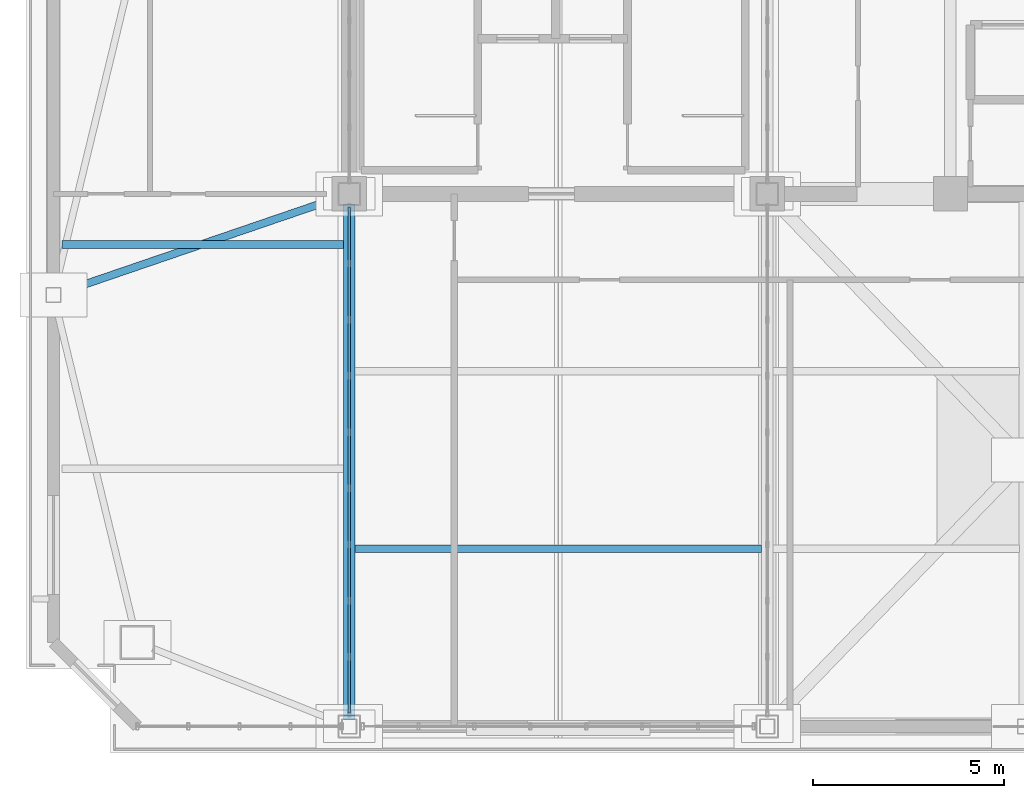
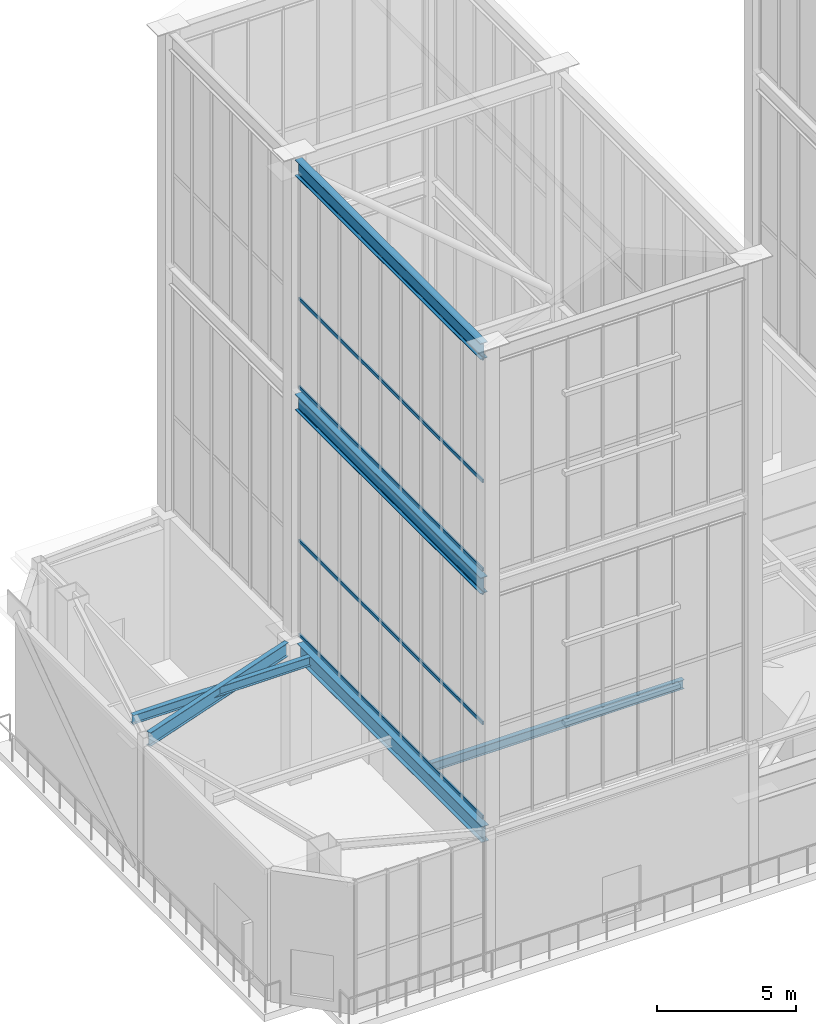
# One storey, part 6 of 135: 6 beams, 6 members, 2 elements without a shape of their own.
"""IFC4 building model written with IfcOpenShell, lengths in metres."""

from ifc_helpers import new_model, si_unit, direction, frame, origin, origin_2d, place, context, subcontext, project, spatial, hollow_rectangle, i_section, extrude, source, transform, mapped, material, layer, layer_set, material_profile, profile_set, type_object, element, aggregate, save


model = new_model("IFC4")

# Units and contexts
model_context = context("Model", 3, precision=1e-05, world=origin(), true_north=direction((0.0, 1.0)))
body_context = subcontext(model_context, "Body", "Model", "MODEL_VIEW")
ifc_project = project(units=[si_unit("LENGTHUNIT", "METRE"), si_unit("AREAUNIT", "SQUARE_METRE"), si_unit("VOLUMEUNIT", "CUBIC_METRE"), si_unit("PLANEANGLEUNIT", "RADIAN"), si_unit("MASSUNIT", "GRAM", prefix="KILO")], contexts=[model_context])

# Site, building, storey
site_placement = place(None, origin())
site = spatial("IfcSite", under=ifc_project, at=site_placement, CompositionType="ELEMENT")
building_placement = place(site_placement, origin())
building = spatial("IfcBuilding", under=site, at=building_placement, Name="Giltprow Tower", CompositionType="ELEMENT")
storey_placement = place(building_placement, frame((0.0, 0.0, 352.699951171875)))
storey = spatial("IfcBuildingStorey", under=building, at=storey_placement, Name="L92", CompositionType="ELEMENT", Elevation=352.699951171875)

# Beams
ifc_material_1 = material(Name="Structural steel Q355B", Category="steel")
ifc_material_profile_1 = material_profile(ifc_material_1, i_section(OverallWidth=0.199951171875, OverallDepth=0.39990234375, WebThickness=0.008056640625, FlangeThickness=0.012939453125, at=origin_2d()), Name="HN 400x200x8x13")
ifc_profile_set_1 = profile_set([ifc_material_profile_1], Name="Structural steel Q355B")
beam_type_1 = type_object("IfcBeamType", Name="BM-JOIST-HN400", PredefinedType="JOIST", material=ifc_profile_set_1)
shared_shape_1 = source(origin(), body_context, "Body", "SweptSolid", [
    extrude(i_section(OverallWidth=0.199951171875, OverallDepth=0.39990234375, WebThickness=0.008056640625, FlangeThickness=0.012939453125, at=origin_2d()), origin(), (0.0, 0.0, 1.0), 10.659912109375),
])
beam_1_placement = place(storey_placement, frame((19.9951171875, 28.14990234375, 5.9599609375), z_axis=(1.0, 0.0, 0.0), x_axis=(0.0, 1.0, 0.0)))
element("IfcBeam", 1, at=beam_1_placement, inside=storey, type_object=beam_type_1, Name="L92 Composite Floor Joist 1-1", PredefinedType="JOIST", context=body_context, shape_type="MappedRepresentation", body=[
    mapped(shared_shape_1, transform((0.0, 0.0, 0.0), x_axis=(1.0, 0.0, 0.0), y_axis=(0.0, 1.0, 0.0), z_axis=(0.0, 0.0, 1.0), scale=1.0)),
])
ifc_material_profile_2 = material_profile(ifc_material_1, i_section(OverallWidth=0.300048828125, OverallDepth=0.699951171875, WebThickness=0.012939453125, FlangeThickness=0.02392578125, at=origin_2d()), Name="HN 700x300x13x24")
ifc_profile_set_2 = profile_set([ifc_material_profile_2], Name="Structural steel Q355B")
beam_type_2 = type_object("IfcBeamType", Name="BM-GIRD-HN700", PredefinedType="BEAM", material=ifc_profile_set_2)
shared_shape_2 = source(origin(), body_context, "Body", "SweptSolid", [
    extrude(i_section(OverallWidth=0.300048828125, OverallDepth=0.699951171875, WebThickness=0.012939453125, FlangeThickness=0.02392578125, at=origin_2d()), origin(), (0.0, 0.0, 1.0), 13.329833984375),
])
beam_2_placement = place(storey_placement, frame((19.85009765625, 23.68505859375, 5.81005859375), z_axis=(0.0, 1.0, 0.0), x_axis=(-1.0, 0.0, 0.0)))
element("IfcBeam", 2, at=beam_2_placement, inside=storey, type_object=beam_type_2, Name="L92 Primary Lease Girder S1", PredefinedType="BEAM", context=body_context, shape_type="MappedRepresentation", body=[
    mapped(shared_shape_2, transform((0.0, 0.0, 0.0), x_axis=(1.0, 0.0, 0.0), y_axis=(0.0, 1.0, 0.0), z_axis=(0.0, 0.0, 1.0), scale=1.0)),
])
ifc_material_profile_3 = material_profile(ifc_material_1, i_section(OverallWidth=0.199951171875, OverallDepth=0.60009765625, WebThickness=0.010986328125, FlangeThickness=0.01708984375, at=origin_2d()), Name="HN 600x200x11x17")
ifc_profile_set_3 = profile_set([ifc_material_profile_3], Name="Structural steel Q355B")
beam_type_3 = type_object("IfcBeamType", Name="BM-GIRD-HN600", PredefinedType="BEAM", material=ifc_profile_set_3)
shared_shape_3 = source(origin(), body_context, "Body", "SweptSolid", [
    extrude(i_section(OverallWidth=0.199951171875, OverallDepth=0.60009765625, WebThickness=0.010986328125, FlangeThickness=0.01708984375, at=origin_2d()), origin(), (0.0, 0.0, 1.0), 7.570068359375),
])
beam_3_placement = place(storey_placement, frame((12.27490234375, 34.860107421875, 5.860107421875), z_axis=(0.946226868373, 0.323503807657, 0.0), x_axis=(-0.323503807657, 0.946226868373, 0.0)))
element("IfcBeam", 3, at=beam_3_placement, inside=storey, type_object=beam_type_3, Name="L92 West Wing Primary Girder", PredefinedType="BEAM", context=body_context, shape_type="MappedRepresentation", body=[
    mapped(shared_shape_3, transform((0.0, 0.0, 0.0), x_axis=(1.0, 0.0, 0.0), y_axis=(0.0, 1.0, 0.0), z_axis=(0.0, 0.0, 1.0), scale=1.0)),
])
shared_shape_4 = source(origin(), body_context, "Body", "SweptSolid", [
    extrude(i_section(OverallWidth=0.199951171875, OverallDepth=0.39990234375, WebThickness=0.008056640625, FlangeThickness=0.012939453125, at=origin_2d()), origin(), (0.0, 0.0, 1.0), 7.385009765625),
])
beam_4_placement = place(storey_placement, frame((12.320068359375, 36.125, 5.9599609375), z_axis=(1.0, 0.0, 0.0), x_axis=(0.0, 1.0, 0.0)))
element("IfcBeam", 4, at=beam_4_placement, inside=storey, type_object=beam_type_1, Name="L92 West Wing Floor Joist 2", PredefinedType="JOIST", context=body_context, shape_type="MappedRepresentation", body=[
    mapped(shared_shape_4, transform((0.0, 0.0, 0.0), x_axis=(1.0, 0.0, 0.0), y_axis=(0.0, 1.0, 0.0), z_axis=(0.0, 0.0, 1.0), scale=1.0)),
])
ifc_material_profile_4 = material_profile(ifc_material_1, i_section(OverallWidth=0.300048828125, OverallDepth=0.699951171875, WebThickness=0.012939453125, FlangeThickness=0.02392578125, at=origin_2d()), Name="HN 700x300x13x24")
ifc_profile_set_4 = profile_set([ifc_material_profile_4], Name="Structural steel Q355B")
beam_type_4 = type_object("IfcBeamType", Name="BM-CRN-RING-HN700", PredefinedType="BEAM", material=ifc_profile_set_4)
shared_shape_5 = source(origin(), body_context, "Body", "SweptSolid", [
    extrude(i_section(OverallWidth=0.300048828125, OverallDepth=0.699951171875, WebThickness=0.012939453125, FlangeThickness=0.02392578125, at=origin_2d()), origin(), (0.0, 0.0, 1.0), 13.389892578125),
])
for number, where, z_axis, x_axis, name in (
    (5, (19.85009765625, 37.169921875, 16.699951171875), (0.0, -1.0, 0.0), (1.0, 0.0, 0.0), "Crown Frame West Ring Beam 1-6"),
    (6, (19.85009765625, 37.169921875, 27.01708984375), (0.0, -1.0, 0.0), (1.0, 0.0, 0.0), "Crown Frame West Ring Beam 2-6"),
):
    element("IfcBeam", number, at=place(storey_placement, frame(where, z_axis=z_axis, x_axis=x_axis)), inside=storey, type_object=beam_type_4, Name=name, PredefinedType="BEAM", context=body_context, shape_type="MappedRepresentation", body=[
        mapped(shared_shape_5, transform((0.0, 0.0, 0.0), x_axis=(1.0, 0.0, 0.0), y_axis=(0.0, 1.0, 0.0), z_axis=(0.0, 0.0, 1.0), scale=1.0)),
    ])

# Curtain wall, members
ifc_material_2 = material(Name="Anodized bronze", Category="metal")
ifc_layer = layer(ifc_material_2, 0.179931640625, Name="Anodized bronze")
ifc_layer_set = layer_set([ifc_layer], Name="Anodized bronze")
curtain_wall_type = type_object("IfcCurtainWallType", Name="CW-CROWN-LANTERN", PredefinedType="NOTDEFINED", material=ifc_layer_set)
curtain_wall_1_placement = place(storey_placement, origin())
curtain_wall_1 = element("IfcCurtainWall", 7, at=curtain_wall_1_placement, inside=storey, type_object=curtain_wall_type, Name="Crown West Lower Lantern Glazing 6", PredefinedType="NOTDEFINED")
ifc_material_profile_5 = material_profile(ifc_material_2, hollow_rectangle(XDim=0.06494140625, YDim=0.14990234375, WallThickness=0.006103515625, at=origin_2d()), Name="RHS 150x65x6")
ifc_profile_set_5 = profile_set([ifc_material_profile_5], Name="Anodized bronze")
member_type = type_object("IfcMemberType", Name="CW-TRANSOM-150x65", PredefinedType="USERDEFINED", material=ifc_profile_set_5)
shared_shape_6 = source(origin(), body_context, "Body", "SweptSolid", [
    extrude(hollow_rectangle(XDim=0.06494140625, YDim=0.14990234375, WallThickness=0.006103515625, at=origin_2d()), origin(), (0.0, 0.0, 1.0), 13.25),
])
member_1_placement = place(storey_placement, frame((19.85009765625, 37.10009765625, 6.43994140625), z_axis=(0.0, -1.0, 0.0), x_axis=(1.0, 0.0, 0.0)))
member_1 = element("IfcMember", 8, at=member_1_placement, type_object=member_type, Name="Crown West Lower Lantern Glazing 6 Transom 1", ObjectType="TRANSOM", PredefinedType="USERDEFINED", context=body_context, shape_type="MappedRepresentation", body=[
    mapped(shared_shape_6, transform((0.0, 0.0, 0.0), x_axis=(1.0, 0.0, 0.0), y_axis=(0.0, 1.0, 0.0), z_axis=(0.0, 0.0, 1.0), scale=1.0)),
])
member_2_placement = place(storey_placement, frame((19.85009765625, 37.10009765625, 10.5791015625), z_axis=(0.0, -1.0, 0.0), x_axis=(1.0, 0.0, 0.0)))
member_2 = element("IfcMember", 9, at=member_2_placement, type_object=member_type, Name="Crown West Lower Lantern Glazing 6 Transom 2", ObjectType="TRANSOM", PredefinedType="USERDEFINED", context=body_context, shape_type="MappedRepresentation", body=[
    mapped(shared_shape_6, transform((0.0, 0.0, 0.0), x_axis=(1.0, 0.0, 0.0), y_axis=(0.0, 1.0, 0.0), z_axis=(0.0, 0.0, 1.0), scale=1.0)),
])
member_3_placement = place(storey_placement, frame((19.85009765625, 37.10009765625, 16.31005859375), z_axis=(0.0, -1.0, 0.0), x_axis=(1.0, 0.0, 0.0)))
member_3 = element("IfcMember", 10, at=member_3_placement, type_object=member_type, Name="Crown West Lower Lantern Glazing 6 Transom 3", ObjectType="TRANSOM", PredefinedType="USERDEFINED", context=body_context, shape_type="MappedRepresentation", body=[
    mapped(shared_shape_6, transform((0.0, 0.0, 0.0), x_axis=(1.0, 0.0, 0.0), y_axis=(0.0, 1.0, 0.0), z_axis=(0.0, 0.0, 1.0), scale=1.0)),
])
aggregate(curtain_wall_1, [member_1, member_2, member_3])

curtain_wall_2_placement = place(storey_placement, origin())
curtain_wall_2 = element("IfcCurtainWall", 11, at=curtain_wall_2_placement, inside=storey, type_object=curtain_wall_type, Name="Crown West Upper Lantern Glazing 6", PredefinedType="NOTDEFINED")
member_4_placement = place(storey_placement, frame((19.85009765625, 37.10009765625, 17.340087890625), z_axis=(0.0, -1.0, 0.0), x_axis=(1.0, 0.0, 0.0)))
member_4 = element("IfcMember", 12, at=member_4_placement, type_object=member_type, Name="Crown West Upper Lantern Glazing 6 Transom 1", ObjectType="TRANSOM", PredefinedType="USERDEFINED", context=body_context, shape_type="MappedRepresentation", body=[
    mapped(shared_shape_6, transform((0.0, 0.0, 0.0), x_axis=(1.0, 0.0, 0.0), y_axis=(0.0, 1.0, 0.0), z_axis=(0.0, 0.0, 1.0), scale=1.0)),
])
member_5_placement = place(storey_placement, frame((19.85009765625, 37.10009765625, 21.234130859375), z_axis=(0.0, -1.0, 0.0), x_axis=(1.0, 0.0, 0.0)))
member_5 = element("IfcMember", 13, at=member_5_placement, type_object=member_type, Name="Crown West Upper Lantern Glazing 6 Transom 2", ObjectType="TRANSOM", PredefinedType="USERDEFINED", context=body_context, shape_type="MappedRepresentation", body=[
    mapped(shared_shape_6, transform((0.0, 0.0, 0.0), x_axis=(1.0, 0.0, 0.0), y_axis=(0.0, 1.0, 0.0), z_axis=(0.0, 0.0, 1.0), scale=1.0)),
])
member_6_placement = place(storey_placement, frame((19.85009765625, 37.10009765625, 26.626953125), z_axis=(0.0, -1.0, 0.0), x_axis=(1.0, 0.0, 0.0)))
member_6 = element("IfcMember", 14, at=member_6_placement, type_object=member_type, Name="Crown West Upper Lantern Glazing 6 Transom 3", ObjectType="TRANSOM", PredefinedType="USERDEFINED", context=body_context, shape_type="MappedRepresentation", body=[
    mapped(shared_shape_6, transform((0.0, 0.0, 0.0), x_axis=(1.0, 0.0, 0.0), y_axis=(0.0, 1.0, 0.0), z_axis=(0.0, 0.0, 1.0), scale=1.0)),
])
aggregate(curtain_wall_2, [member_4, member_5, member_6])

save(model, "model.ifc")
